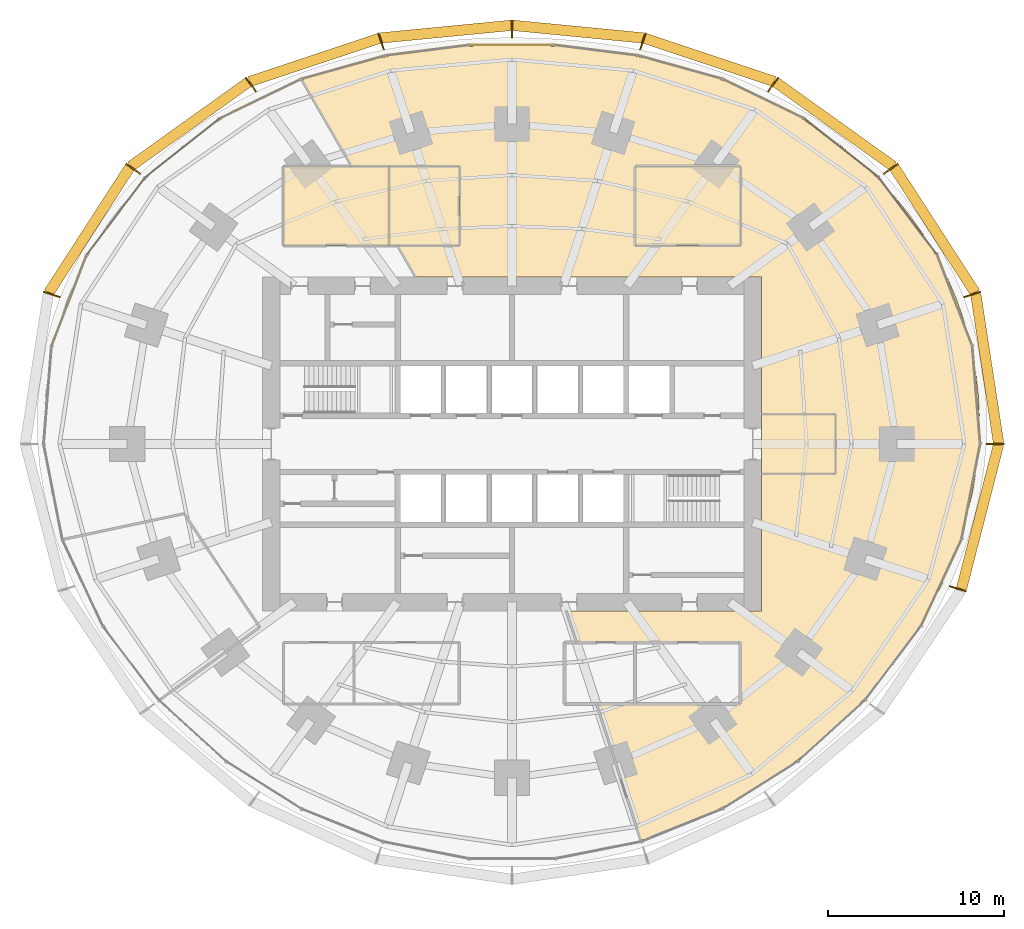
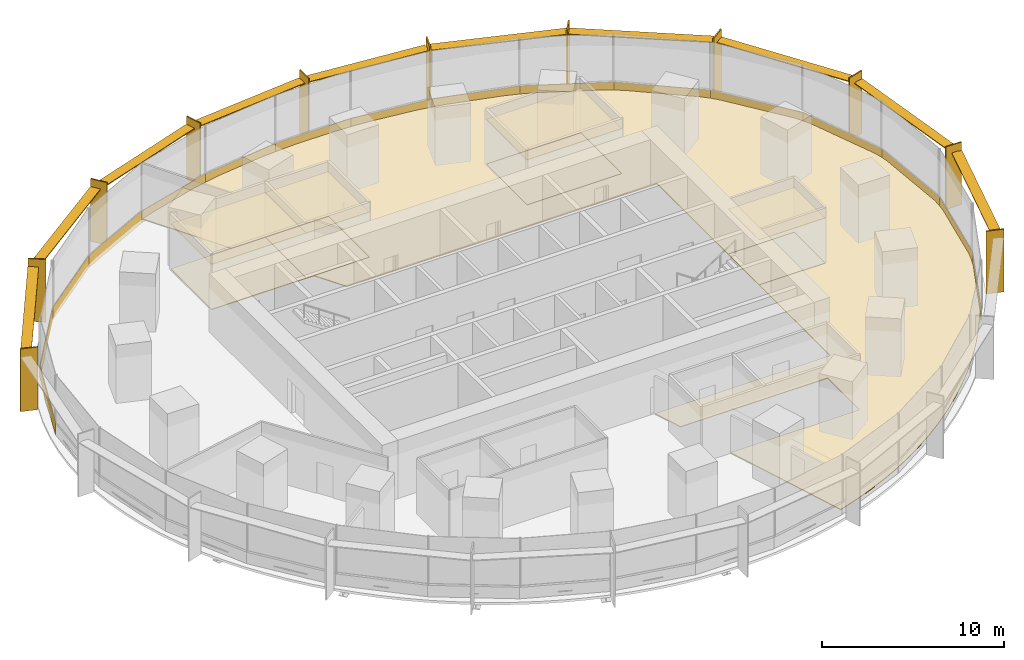
# One storey, part 15 of 15: 25 coverings, 21 shading devices.
"""IFC4 building model written with IfcOpenShell, lengths in metres."""

from ifc_helpers import new_model, si_unit, direction, frame, origin, origin_2d, place, context, subcontext, project, spatial, polyline, rectangle, outline, extrude, material, layer, layer_set, type_object, element, save


model = new_model("IFC4")

# Units and contexts
model_context = context("Model", 3, precision=1e-05, world=origin(), true_north=direction((0.0, 1.0)))
body_context = subcontext(model_context, "Body", "Model", "MODEL_VIEW")
ifc_project = project(units=[si_unit("LENGTHUNIT", "METRE"), si_unit("AREAUNIT", "SQUARE_METRE"), si_unit("VOLUMEUNIT", "CUBIC_METRE"), si_unit("PLANEANGLEUNIT", "RADIAN"), si_unit("MASSUNIT", "GRAM", prefix="KILO")], contexts=[model_context])

# Site, building, storey
site_placement = place(None, origin())
site = spatial("IfcSite", under=ifc_project, at=site_placement, CompositionType="ELEMENT")
building_placement = place(site_placement, origin())
building = spatial("IfcBuilding", under=site, at=building_placement, Name="Marramba Exchange Tower", CompositionType="ELEMENT")
storey_placement = place(building_placement, frame((0.0, 0.0, 28.0)))
storey = spatial("IfcBuildingStorey", under=building, at=storey_placement, Name="L06", CompositionType="ELEMENT", Elevation=28.0)

# Shading devices
ifc_material_1 = material(Name="Aluminium blade, timber-look bronze finish", Category="wood")
ifc_layer_1 = layer(ifc_material_1, 0.080078125)
ifc_layer_set_1 = layer_set([ifc_layer_1], Name="Floor-edge blade 1000x80")
shading_device_type_1 = type_object("IfcShadingDeviceType", Name="Floor-edge blade 1000x80", PredefinedType="USERDEFINED", material=ifc_layer_set_1)
for number, where, z_axis, x_axis, name in (
    (1, (27.5, 0.0, -0.16015625), (0.0, 0.0, 1.0), (1.0, 0.0, 0.0), "Floor-edge blade FB1 L06 TC01"),
    (2, (26.193115234375, 8.5107421875, -0.16015625), (0.0, 0.0, 1.0), (0.951056516295, 0.309016994375, 0.0), "Floor-edge blade FB1 L06 TC02"),
    (3, (21.56298828125, 15.66650390625, -0.16015625), (0.0, 0.0, 1.0), (0.809016994375, 0.587785252292, 0.0), "Floor-edge blade FB1 L06 TC03"),
    (4, (14.857666015625, 20.449951171875, -0.16015625), (0.0, 0.0, 1.0), (0.587785252292, 0.809016994375, 0.0), "Floor-edge blade FB1 L06 TC04"),
    (5, (7.444091796875, 22.910888671875, -0.16015625), (0.0, 0.0, 1.0), (0.309016994375, 0.951056516295, 0.0), "Floor-edge blade FB1 L06 TC05"),
    (6, (0.0, 23.6279296875, -0.16015625), (0.0, 0.0, 1.0), (0.0, 1.0, 0.0), "Floor-edge blade FB1 L06 TC06"),
    (7, (-7.444091796875, 22.910888671875, -0.16015625), (0.0, 0.0, 1.0), (-0.309016994375, 0.951056516295, 0.0), "Floor-edge blade FB1 L06 TC07"),
    (8, (-14.857666015625, 20.449951171875, -0.16015625), (0.0, 0.0, 1.0), (-0.587785252292, 0.809016994375, 0.0), "Floor-edge blade FB1 L06 TC08"),
    (9, (-21.56298828125, 15.66650390625, -0.16015625), (0.0, 0.0, 1.0), (-0.809016994375, 0.587785252292, 0.0), "Floor-edge blade FB1 L06 TC09"),
    (10, (-26.193115234375, 8.5107421875, -0.16015625), (0.0, 0.0, 1.0), (-0.951056516295, 0.309016994375, 0.0), "Floor-edge blade FB1 L06 TC10"),
    (11, (25.3740234375, -8.24462890625, -0.16015625), (0.0, 0.0, 1.0), (0.951056516295, -0.309016994375, 0.0), "Floor-edge blade FB1 L06 TC20"),
):
    element("IfcShadingDevice", number, at=place(storey_placement, frame(where, z_axis=z_axis, x_axis=x_axis)), inside=storey, type_object=shading_device_type_1, Name=name, ObjectType="FIN", PredefinedType="USERDEFINED", context=body_context, shape_type="SweptSolid", body=[
        extrude(rectangle(XDim=1.0, YDim=0.080078125, at=origin_2d()), origin(), (0.0, 0.0, 1.0), 4.199951171875),
    ])

# Coverings
ifc_material_2 = material(Name="Steel raised access floor panels", Category="steel")
ifc_layer_2 = layer(ifc_material_2, 0.050048828125)
ifc_layer_set_2 = layer_set([ifc_layer_2], Name="Raised access floor 300")
covering_type_1 = type_object("IfcCoveringType", Name="Raised access floor 300", PredefinedType="FLOORING", material=ifc_layer_set_2)
covering_1_placement = place(storey_placement, frame((0.0, 0.0, 0.25)))
element("IfcCovering", 12, at=covering_1_placement, inside=storey, type_object=covering_type_1, Name="Raised access floor RAF1 L06 Equities Trading Floor", PredefinedType="FLOORING", context=body_context, shape_type="SweptSolid", body=[
    extrude(outline(polyline([(14.199951171875, -1.699951171875), (18.39990234375, -1.699951171875), (18.39990234375, 1.699951171875), (14.199951171875, 1.699951171875), (14.199951171875, 9.5), (-5.48486328125, 9.5), (-6.52392578125, 11.300048828125), (-3.0, 11.300048828125), (-3.0, 15.800048828125), (-7.0, 15.800048828125), (-9.1220703125, 15.800048828125), (-11.94921875, 20.69677734375), (-10.755126953125, 21.10791015625), (-9.556640625, 21.464599609375), (-8.356689453125, 21.76953125), (-7.15673828125, 22.0263671875), (-5.95849609375, 22.23779296875), (-4.7626953125, 22.406982421875), (-3.5693359375, 22.535888671875), (-2.378173828125, 22.62646484375), (-1.188720703125, 22.68017578125), (0.0, 22.697998046875), (1.188720703125, 22.68017578125), (2.378173828125, 22.62646484375), (3.5693359375, 22.535888671875), (4.7626953125, 22.406982421875), (5.95849609375, 22.23779296875), (7.15673828125, 22.0263671875), (8.356689453125, 21.76953125), (9.556640625, 21.464599609375), (10.755126953125, 21.10791015625), (11.94921875, 20.69677734375), (13.135986328125, 20.2275390625), (14.31103515625, 19.697509765625), (15.4697265625, 19.103759765625), (16.60693359375, 18.44384765625), (17.71630859375, 17.71630859375), (18.791259765625, 16.919677734375), (19.8251953125, 16.05419921875), (20.810791015625, 15.119873046875), (21.740478515625, 14.118408203125), (22.607177734375, 13.05224609375), (23.40380859375, 11.9248046875), (24.12353515625, 10.740478515625), (24.76025390625, 9.50439453125), (25.30859375, 8.22314453125), (25.763916015625, 6.9033203125), (26.123291015625, 5.552734375), (26.3837890625, 4.1787109375), (26.544921875, 2.7900390625), (26.6064453125, 1.394287109375), (26.570068359375, 0.0), (26.43798828125, -1.385498046875), (26.213623046875, -2.755126953125), (25.9013671875, -4.102294921875), (25.50634765625, -5.421630859375), (25.033935546875, -6.707763671875), (24.489501953125, -7.95703125), (23.879150390625, -9.166259765625), (23.208251953125, -10.3330078125), (22.482177734375, -11.455322265625), (21.7060546875, -12.531982421875), (20.88427734375, -13.5625), (20.020751953125, -14.5458984375), (19.119384765625, -15.482421875), (18.1826171875, -16.371826171875), (17.213623046875, -17.213623046875), (16.21435546875, -18.0078125), (15.1865234375, -18.75390625), (14.132080078125, -19.451171875), (13.052490234375, -20.09912109375), (11.94921875, -20.69677734375), (10.82373046875, -21.242919921875), (9.677734375, -21.736328125), (8.512451171875, -22.17578125), (7.330078125, -22.56005859375), (4.808837890625, -14.800048828125), (7.0, -14.800048828125), (13.0, -14.800048828125), (13.0, -11.300048828125), (7.0, -11.300048828125), (3.671630859375, -11.300048828125), (3.086669921875, -9.5), (14.199951171875, -9.5), (14.199951171875, -1.699951171875)]), holes=[polyline([(7.0, 15.800048828125), (7.0, 11.300048828125), (13.0, 11.300048828125), (13.0, 15.800048828125), (7.0, 15.800048828125)])]), origin(), (0.0, 0.0, 1.0), 0.050048828125),
])
covering_2_placement = place(storey_placement, frame((0.0, 0.0, 0.25)))
element("IfcCovering", 13, at=covering_2_placement, inside=storey, type_object=covering_type_1, Name="Raised access floor RAF1 L06 Corridor", PredefinedType="FLOORING", context=body_context, shape_type="SweptSolid", body=[
    extrude(outline(polyline([(14.199951171875, -1.699951171875), (14.199951171875, 1.699951171875), (18.39990234375, 1.699951171875), (18.39990234375, -1.699951171875), (14.199951171875, -1.699951171875)])), origin(), (0.0, 0.0, 1.0), 0.050048828125),
])
covering_3_placement = place(storey_placement, frame((0.0, 0.0, 0.25)))
element("IfcCovering", 14, at=covering_3_placement, inside=storey, type_object=covering_type_1, Name="Raised access floor RAF1 L06 Meeting Room 1", PredefinedType="FLOORING", context=body_context, shape_type="SweptSolid", body=[
    extrude(outline(polyline([(-7.0, 15.800048828125), (-7.0, 11.300048828125), (-13.0, 11.300048828125), (-13.0, 15.800048828125), (-7.0, 15.800048828125)])), origin(), (0.0, 0.0, 1.0), 0.050048828125),
])
covering_4_placement = place(storey_placement, frame((0.0, 0.0, 0.25)))
element("IfcCovering", 15, at=covering_4_placement, inside=storey, type_object=covering_type_1, Name="Raised access floor RAF1 L06 Interview Room", PredefinedType="FLOORING", context=body_context, shape_type="SweptSolid", body=[
    extrude(outline(polyline([(-3.0, 15.800048828125), (-3.0, 11.300048828125), (-7.0, 11.300048828125), (-7.0, 15.800048828125), (-3.0, 15.800048828125)])), origin(), (0.0, 0.0, 1.0), 0.050048828125),
])
covering_5_placement = place(storey_placement, frame((0.0, 0.0, 0.25)))
element("IfcCovering", 16, at=covering_5_placement, inside=storey, type_object=covering_type_1, Name="Raised access floor RAF1 L06 Data Room", PredefinedType="FLOORING", context=body_context, shape_type="SweptSolid", body=[
    extrude(outline(polyline([(13.0, 11.300048828125), (7.0, 11.300048828125), (7.0, 15.800048828125), (13.0, 15.800048828125), (13.0, 11.300048828125)])), origin(), (0.0, 0.0, 1.0), 0.050048828125),
])

# Shading devices
ifc_material_3 = material(Name="Aluminium sunshade, bronze anodised", Category="aluminium")
ifc_layer_3 = layer(ifc_material_3, 0.06005859375)
ifc_layer_set_3 = layer_set([ifc_layer_3], Name="SUNSHADE blade 600x60")
shading_device_type_2 = type_object("IfcShadingDeviceType", Name="SUNSHADE blade 600x60", PredefinedType="USERDEFINED", material=ifc_layer_set_3)
shading_device_1_placement = place(storey_placement, frame((27.04150390625, 4.2861328125, 3.4599609375), z_axis=(0.0, 0.0, 1.0), x_axis=(-0.151825486228, 0.988407315701, 0.0)))
element("IfcShadingDevice", 17, at=shading_device_1_placement, inside=storey, type_object=shading_device_type_2, Name="Sunshade SS1 L06 bay 01", ObjectType="SUNSHADE", PredefinedType="USERDEFINED", context=body_context, shape_type="SweptSolid", body=[
    extrude(rectangle(XDim=8.593017578125, YDim=0.60009765625, at=origin_2d()), origin(), (0.0, 0.0, 1.0), 0.06005859375),
])
shading_device_2_placement = place(storey_placement, frame((24.053955078125, 12.17822265625, 3.4599609375), z_axis=(0.0, 0.0, 1.0), x_axis=(-0.542596596948, 0.839993412462, 0.0)))
element("IfcShadingDevice", 18, at=shading_device_2_placement, inside=storey, type_object=shading_device_type_2, Name="Sunshade SS1 L06 bay 02", ObjectType="SUNSHADE", PredefinedType="USERDEFINED", context=body_context, shape_type="SweptSolid", body=[
    extrude(rectangle(XDim=8.50537109375, YDim=0.60009765625, at=origin_2d()), origin(), (0.0, 0.0, 1.0), 0.06005859375),
])
shading_device_3_placement = place(storey_placement, frame((18.35009765625, 18.19775390625, 3.4599609375), z_axis=(0.0, 0.0, 1.0), x_axis=(-0.813362978246, 0.581756534659, 0.0)))
element("IfcShadingDevice", 19, at=shading_device_3_placement, inside=storey, type_object=shading_device_type_2, Name="Sunshade SS1 L06 bay 03", ObjectType="SUNSHADE", PredefinedType="USERDEFINED", context=body_context, shape_type="SweptSolid", body=[
    extrude(rectangle(XDim=8.218505859375, YDim=0.60009765625, at=origin_2d()), origin(), (0.0, 0.0, 1.0), 0.06005859375),
])
shading_device_4_placement = place(storey_placement, frame((11.24072265625, 21.8564453125, 3.4599609375), z_axis=(0.0, 0.0, 1.0), x_axis=(-0.948697789537, 0.316184288235, 0.0)))
element("IfcShadingDevice", 20, at=shading_device_4_placement, inside=storey, type_object=shading_device_type_2, Name="Sunshade SS1 L06 bay 04", ObjectType="SUNSHADE", PredefinedType="USERDEFINED", context=body_context, shape_type="SweptSolid", body=[
    extrude(rectangle(XDim=7.793212890625, YDim=0.60009765625, at=origin_2d()), origin(), (0.0, 0.0, 1.0), 0.06005859375),
])
for number, where, z_axis, x_axis, name in (
    (21, (3.7529296875, 23.464599609375, 3.4599609375), (0.0, 0.0, 1.0), (-0.995342876176, 0.096397919302, 0.0), "Sunshade SS1 L06 bay 05"),
    (22, (-3.7529296875, 23.464599609375, 3.4599609375), (0.0, 0.0, 1.0), (-0.995342876176, -0.096397919302, 0.0), "Sunshade SS1 L06 bay 06"),
):
    element("IfcShadingDevice", number, at=place(storey_placement, frame(where, z_axis=z_axis, x_axis=x_axis)), inside=storey, type_object=shading_device_type_2, Name=name, ObjectType="SUNSHADE", PredefinedType="USERDEFINED", context=body_context, shape_type="SweptSolid", body=[
        extrude(rectangle(XDim=7.461181640625, YDim=0.60009765625, at=origin_2d()), origin(), (0.0, 0.0, 1.0), 0.06005859375),
    ])
shading_device_5_placement = place(storey_placement, frame((-11.24072265625, 21.8564453125, 3.4599609375), z_axis=(0.0, 0.0, 1.0), x_axis=(-0.948697789537, -0.316184288235, 0.0)))
element("IfcShadingDevice", 23, at=shading_device_5_placement, inside=storey, type_object=shading_device_type_2, Name="Sunshade SS1 L06 bay 07", ObjectType="SUNSHADE", PredefinedType="USERDEFINED", context=body_context, shape_type="SweptSolid", body=[
    extrude(rectangle(XDim=7.793212890625, YDim=0.60009765625, at=origin_2d()), origin(), (0.0, 0.0, 1.0), 0.06005859375),
])
shading_device_6_placement = place(storey_placement, frame((-18.35009765625, 18.19775390625, 3.4599609375), z_axis=(0.0, 0.0, 1.0), x_axis=(-0.813362978246, -0.581756534659, 0.0)))
element("IfcShadingDevice", 24, at=shading_device_6_placement, inside=storey, type_object=shading_device_type_2, Name="Sunshade SS1 L06 bay 08", ObjectType="SUNSHADE", PredefinedType="USERDEFINED", context=body_context, shape_type="SweptSolid", body=[
    extrude(rectangle(XDim=8.218505859375, YDim=0.60009765625, at=origin_2d()), origin(), (0.0, 0.0, 1.0), 0.06005859375),
])
shading_device_7_placement = place(storey_placement, frame((-24.053955078125, 12.17822265625, 3.4599609375), z_axis=(0.0, 0.0, 1.0), x_axis=(-0.542596596948, -0.839993412462, 0.0)))
element("IfcShadingDevice", 25, at=shading_device_7_placement, inside=storey, type_object=shading_device_type_2, Name="Sunshade SS1 L06 bay 09", ObjectType="SUNSHADE", PredefinedType="USERDEFINED", context=body_context, shape_type="SweptSolid", body=[
    extrude(rectangle(XDim=8.50537109375, YDim=0.60009765625, at=origin_2d()), origin(), (0.0, 0.0, 1.0), 0.06005859375),
])
shading_device_8_placement = place(storey_placement, frame((26.632080078125, -4.153076171875, 3.4599609375), z_axis=(0.0, 0.0, 1.0), x_axis=(0.249024641331, 0.968497149201, 0.0)))
element("IfcShadingDevice", 26, at=shading_device_8_placement, inside=storey, type_object=shading_device_type_2, Name="Sunshade SS1 L06 bay 20", ObjectType="SUNSHADE", PredefinedType="USERDEFINED", context=body_context, shape_type="SweptSolid", body=[
    extrude(rectangle(XDim=8.49658203125, YDim=0.60009765625, at=origin_2d()), origin(), (0.0, 0.0, 1.0), 0.06005859375),
])

# Coverings
ifc_material_4 = material(Name="Aluminium spandrel panel, bronze anodised, insulated", Category="aluminium")
ifc_layer_4 = layer(ifc_material_4, 0.050048828125)
ifc_layer_set_4 = layer_set([ifc_layer_4], Name="Spandrel panel 800")
covering_type_2 = type_object("IfcCoveringType", Name="Spandrel panel 800", PredefinedType="CLADDING", material=ifc_layer_set_4)
covering_6_placement = place(storey_placement, frame((26.42578125, 2.78466796875, 0.0), z_axis=(0.0, 0.0, 1.0), x_axis=(-0.080275227657, 0.996772736297, 0.0)))
element("IfcCovering", 27, at=covering_6_placement, inside=storey, type_object=covering_type_2, Name="Spandrel panel SP1 L06 F01", PredefinedType="CLADDING", context=body_context, shape_type="SweptSolid", body=[
    extrude(rectangle(XDim=5.58740234375, YDim=0.050048828125, at=origin_2d()), origin(), (0.0, 0.0, 1.0), 0.800048828125),
])
covering_7_placement = place(storey_placement, frame((25.198974609375, 8.171142578125, 0.0), z_axis=(0.0, 0.0, 1.0), x_axis=(-0.359525512701, 0.933135255854, 0.0)))
element("IfcCovering", 28, at=covering_7_placement, inside=storey, type_object=covering_type_2, Name="Spandrel panel SP1 L06 F02", PredefinedType="CLADDING", context=body_context, shape_type="SweptSolid", body=[
    extrude(rectangle(XDim=5.57666015625, YDim=0.050048828125, at=origin_2d()), origin(), (0.0, 0.0, 1.0), 0.800048828125),
])
covering_8_placement = place(storey_placement, frame((22.535888671875, 12.969970703125, 0.0), z_axis=(0.0, 0.0, 1.0), x_axis=(-0.602989761876, 0.797748924834, 0.0)))
element("IfcCovering", 29, at=covering_8_placement, inside=storey, type_object=covering_type_2, Name="Spandrel panel SP1 L06 F03", PredefinedType="CLADDING", context=body_context, shape_type="SweptSolid", body=[
    extrude(rectangle(XDim=5.5078125, YDim=0.050048828125, at=origin_2d()), origin(), (0.0, 0.0, 1.0), 0.800048828125),
])
covering_9_placement = place(storey_placement, frame((18.767822265625, 16.8349609375, 0.0), z_axis=(0.0, 0.0, 1.0), x_axis=(-0.784087946735, 0.620649733574, 0.0)))
element("IfcCovering", 30, at=covering_9_placement, inside=storey, type_object=covering_type_2, Name="Spandrel panel SP1 L06 F04", PredefinedType="CLADDING", context=body_context, shape_type="SweptSolid", body=[
    extrude(rectangle(XDim=5.375732421875, YDim=0.050048828125, at=origin_2d()), origin(), (0.0, 0.0, 1.0), 0.800048828125),
])
covering_10_placement = place(storey_placement, frame((14.324951171875, 19.634765625, 0.0), z_axis=(0.0, 0.0, 1.0), x_axis=(-0.899963432359, 0.435965389012, 0.0)))
element("IfcCovering", 31, at=covering_10_placement, inside=storey, type_object=covering_type_2, Name="Spandrel panel SP1 L06 F05", PredefinedType="CLADDING", context=body_context, shape_type="SweptSolid", body=[
    extrude(rectangle(XDim=5.1904296875, YDim=0.050048828125, at=origin_2d()), origin(), (0.0, 0.0, 1.0), 0.800048828125),
])
covering_11_placement = place(storey_placement, frame((9.58544921875, 21.434326171875, 0.0), z_axis=(0.0, 0.0, 1.0), x_axis=(-0.963472098411, 0.267808729475, 0.0)))
element("IfcCovering", 32, at=covering_11_placement, inside=storey, type_object=covering_type_2, Name="Spandrel panel SP1 L06 F06", PredefinedType="CLADDING", context=body_context, shape_type="SweptSolid", body=[
    extrude(rectangle(XDim=4.989990234375, YDim=0.050048828125, at=origin_2d()), origin(), (0.0, 0.0, 1.0), 0.800048828125),
])
covering_12_placement = place(storey_placement, frame((4.783935546875, 22.404296875, 0.0), z_axis=(0.0, 0.0, 1.0), x_axis=(-0.992172768222, 0.124872727203, 0.0)))
element("IfcCovering", 33, at=covering_12_placement, inside=storey, type_object=covering_type_2, Name="Spandrel panel SP1 L06 F07", PredefinedType="CLADDING", context=body_context, shape_type="SweptSolid", body=[
    extrude(rectangle(XDim=4.832763671875, YDim=0.050048828125, at=origin_2d()), origin(), (0.0, 0.0, 1.0), 0.800048828125),
])
covering_13_placement = place(storey_placement, frame((0.0, 22.7060546875, 0.0), z_axis=(0.0, 0.0, 1.0), x_axis=(-1.0, 0.0, 0.0)))
element("IfcCovering", 34, at=covering_13_placement, inside=storey, type_object=covering_type_2, Name="Spandrel panel SP1 L06 F08", PredefinedType="CLADDING", context=body_context, shape_type="SweptSolid", body=[
    extrude(rectangle(XDim=4.77294921875, YDim=0.050048828125, at=origin_2d()), origin(), (0.0, 0.0, 1.0), 0.800048828125),
])
covering_14_placement = place(storey_placement, frame((-4.783935546875, 22.404296875, 0.0), z_axis=(0.0, 0.0, 1.0), x_axis=(-0.992172768222, -0.124872727203, 0.0)))
element("IfcCovering", 35, at=covering_14_placement, inside=storey, type_object=covering_type_2, Name="Spandrel panel SP1 L06 F09", PredefinedType="CLADDING", context=body_context, shape_type="SweptSolid", body=[
    extrude(rectangle(XDim=4.832763671875, YDim=0.050048828125, at=origin_2d()), origin(), (0.0, 0.0, 1.0), 0.800048828125),
])
covering_15_placement = place(storey_placement, frame((-9.58544921875, 21.434326171875, 0.0), z_axis=(0.0, 0.0, 1.0), x_axis=(-0.963472098411, -0.267808729475, 0.0)))
element("IfcCovering", 36, at=covering_15_placement, inside=storey, type_object=covering_type_2, Name="Spandrel panel SP1 L06 F10", PredefinedType="CLADDING", context=body_context, shape_type="SweptSolid", body=[
    extrude(rectangle(XDim=4.989990234375, YDim=0.050048828125, at=origin_2d()), origin(), (0.0, 0.0, 1.0), 0.800048828125),
])
covering_16_placement = place(storey_placement, frame((-14.324951171875, 19.634765625, 0.0), z_axis=(0.0, 0.0, 1.0), x_axis=(-0.899963432359, -0.435965389012, 0.0)))
element("IfcCovering", 37, at=covering_16_placement, inside=storey, type_object=covering_type_2, Name="Spandrel panel SP1 L06 F11", PredefinedType="CLADDING", context=body_context, shape_type="SweptSolid", body=[
    extrude(rectangle(XDim=5.1904296875, YDim=0.050048828125, at=origin_2d()), origin(), (0.0, 0.0, 1.0), 0.800048828125),
])
covering_17_placement = place(storey_placement, frame((-18.767822265625, 16.8349609375, 0.0), z_axis=(0.0, 0.0, 1.0), x_axis=(-0.784087946735, -0.620649733574, 0.0)))
element("IfcCovering", 38, at=covering_17_placement, inside=storey, type_object=covering_type_2, Name="Spandrel panel SP1 L06 F12", PredefinedType="CLADDING", context=body_context, shape_type="SweptSolid", body=[
    extrude(rectangle(XDim=5.375732421875, YDim=0.050048828125, at=origin_2d()), origin(), (0.0, 0.0, 1.0), 0.800048828125),
])
covering_18_placement = place(storey_placement, frame((-22.535888671875, 12.969970703125, 0.0), z_axis=(0.0, 0.0, 1.0), x_axis=(-0.602989761876, -0.797748924834, 0.0)))
element("IfcCovering", 39, at=covering_18_placement, inside=storey, type_object=covering_type_2, Name="Spandrel panel SP1 L06 F13", PredefinedType="CLADDING", context=body_context, shape_type="SweptSolid", body=[
    extrude(rectangle(XDim=5.5078125, YDim=0.050048828125, at=origin_2d()), origin(), (0.0, 0.0, 1.0), 0.800048828125),
])
covering_19_placement = place(storey_placement, frame((-25.198974609375, 8.171142578125, 0.0), z_axis=(0.0, 0.0, 1.0), x_axis=(-0.359525512701, -0.933135255854, 0.0)))
element("IfcCovering", 40, at=covering_19_placement, inside=storey, type_object=covering_type_2, Name="Spandrel panel SP1 L06 F14", PredefinedType="CLADDING", context=body_context, shape_type="SweptSolid", body=[
    extrude(rectangle(XDim=5.57666015625, YDim=0.050048828125, at=origin_2d()), origin(), (0.0, 0.0, 1.0), 0.800048828125),
])
covering_20_placement = place(storey_placement, frame((24.432861328125, -7.90185546875, 0.0), z_axis=(0.0, 0.0, 1.0), x_axis=(0.423477213559, 0.905906755464, 0.0)))
element("IfcCovering", 41, at=covering_20_placement, inside=storey, type_object=covering_type_2, Name="Spandrel panel SP1 L06 F29", PredefinedType="CLADDING", context=body_context, shape_type="SweptSolid", body=[
    extrude(rectangle(XDim=5.439208984375, YDim=0.050048828125, at=origin_2d()), origin(), (0.0, 0.0, 1.0), 0.800048828125),
])
covering_21_placement = place(storey_placement, frame((26.117431640625, -2.718994140625, 0.0), z_axis=(0.0, 0.0, 1.0), x_axis=(0.19224858127, 0.981346260501, 0.0)))
element("IfcCovering", 42, at=covering_21_placement, inside=storey, type_object=covering_type_2, Name="Spandrel panel SP1 L06 F30", PredefinedType="CLADDING", context=body_context, shape_type="SweptSolid", body=[
    extrude(rectangle(XDim=5.54150390625, YDim=0.050048828125, at=origin_2d()), origin(), (0.0, 0.0, 1.0), 0.800048828125),
])
ifc_material_5 = material(Name="Mineral fibre ceiling tiles", Category="gypsum")
ifc_layer_5 = layer(ifc_material_5, 0.02001953125)
ifc_layer_set_5 = layer_set([ifc_layer_5], Name="Suspended ceiling 20")
covering_type_3 = type_object("IfcCoveringType", Name="Suspended ceiling 20", PredefinedType="CEILING", material=ifc_layer_set_5)
covering_22_placement = place(storey_placement, frame((0.0, 0.0, 3.300048828125)))
element("IfcCovering", 43, at=covering_22_placement, inside=storey, type_object=covering_type_3, Name="Ceiling CL1 L06 Corridor", PredefinedType="CEILING", context=body_context, shape_type="SweptSolid", body=[
    extrude(outline(polyline([(14.199951171875, -1.699951171875), (14.199951171875, 1.699951171875), (18.39990234375, 1.699951171875), (18.39990234375, -1.699951171875), (14.199951171875, -1.699951171875)])), origin(), (0.0, 0.0, 1.0), 0.02001953125),
])
covering_23_placement = place(storey_placement, frame((0.0, 0.0, 3.300048828125)))
element("IfcCovering", 44, at=covering_23_placement, inside=storey, type_object=covering_type_3, Name="Ceiling CL1 L06 Meeting Room 1", PredefinedType="CEILING", context=body_context, shape_type="SweptSolid", body=[
    extrude(outline(polyline([(-7.0, 15.800048828125), (-7.0, 11.300048828125), (-13.0, 11.300048828125), (-13.0, 15.800048828125), (-7.0, 15.800048828125)])), origin(), (0.0, 0.0, 1.0), 0.02001953125),
])
covering_24_placement = place(storey_placement, frame((0.0, 0.0, 3.300048828125)))
element("IfcCovering", 45, at=covering_24_placement, inside=storey, type_object=covering_type_3, Name="Ceiling CL1 L06 Interview Room", PredefinedType="CEILING", context=body_context, shape_type="SweptSolid", body=[
    extrude(outline(polyline([(-3.0, 15.800048828125), (-3.0, 11.300048828125), (-7.0, 11.300048828125), (-7.0, 15.800048828125), (-3.0, 15.800048828125)])), origin(), (0.0, 0.0, 1.0), 0.02001953125),
])
covering_25_placement = place(storey_placement, frame((0.0, 0.0, 3.300048828125)))
element("IfcCovering", 46, at=covering_25_placement, inside=storey, type_object=covering_type_3, Name="Ceiling CL1 L06 Data Room", PredefinedType="CEILING", context=body_context, shape_type="SweptSolid", body=[
    extrude(outline(polyline([(13.0, 11.300048828125), (7.0, 11.300048828125), (7.0, 15.800048828125), (13.0, 15.800048828125), (13.0, 11.300048828125)])), origin(), (0.0, 0.0, 1.0), 0.02001953125),
])

save(model, "model.ifc")
